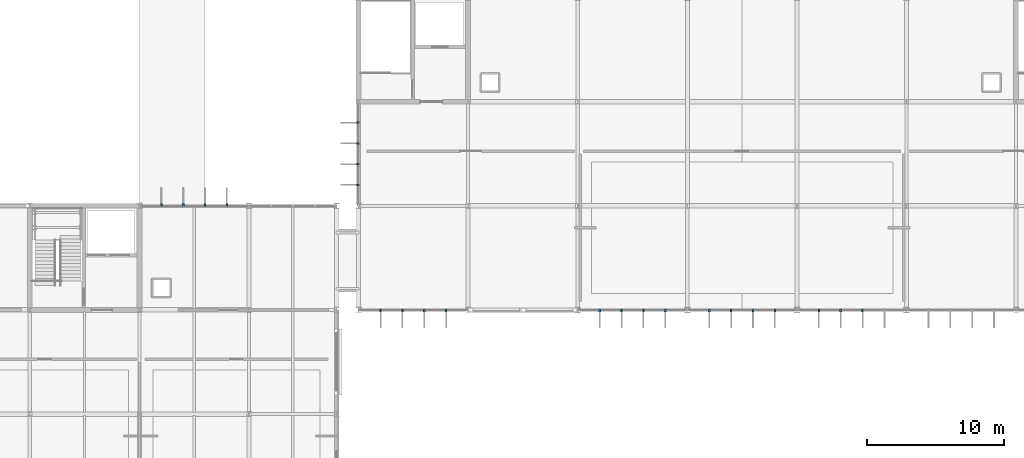
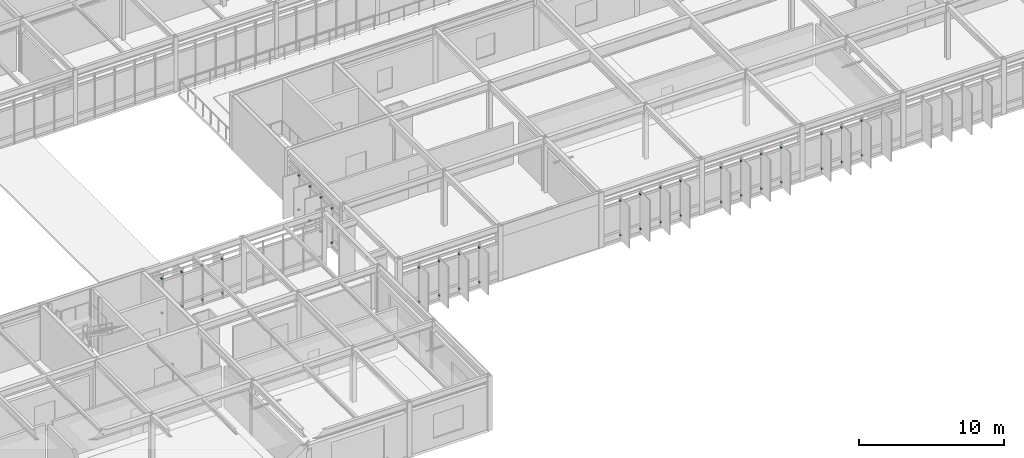
# One storey, part 92 of 100: 46 discrete accessories.
"""IFC4 building model written with IfcOpenShell, lengths in metres."""

from ifc_helpers import new_model, si_unit, direction, frame, origin, origin_2d, place, context, subcontext, project, spatial, rectangle, extrude, material, layer, layer_set, type_object, element, save


model = new_model("IFC4")

# Units and contexts
model_context = context("Model", 3, precision=1e-05, world=origin(), true_north=direction((0.0, 1.0)))
body_context = subcontext(model_context, "Body", "Model", "MODEL_VIEW")
ifc_project = project(units=[si_unit("LENGTHUNIT", "METRE"), si_unit("AREAUNIT", "SQUARE_METRE"), si_unit("VOLUMEUNIT", "CUBIC_METRE"), si_unit("PLANEANGLEUNIT", "RADIAN"), si_unit("MASSUNIT", "GRAM", prefix="KILO")], contexts=[model_context])

# Site, building, storey
site_placement = place(None, origin())
site = spatial("IfcSite", under=ifc_project, at=site_placement, CompositionType="ELEMENT")
building_placement = place(site_placement, origin())
building = spatial("IfcBuilding", under=site, at=building_placement, Name="Zulena Civic Courthouse", CompositionType="ELEMENT")
storey_placement = place(building_placement, frame((0.0, 0.0, 20.39990234375)))
storey = spatial("IfcBuildingStorey", under=building, at=storey_placement, Name="L04", CompositionType="ELEMENT", Elevation=20.39990234375)

# Discrete accessories
ifc_material = material(Name="Gold anodised architectural aluminium AA6063-T6", Category="aluminium")
ifc_layer = layer(ifc_material, 0.1201171875)
ifc_layer_set = layer_set([ifc_layer], Name="Gold anodised architectural aluminium AA6063-T6")
discrete_accessory_type = type_object("IfcDiscreteAccessoryType", Name="FinOutriggerBracket", PredefinedType="BRACKET", material=ifc_layer_set)
for number, where, z_axis, x_axis, name in (
    (1, (53.607177734375, 22.844970703125, 0.340087890625), (0.0, 0.0, 1.0), (0.0, 1.0, 0.0), "brk:V2:L04:1:6:1:20.80"),
    (2, (53.607177734375, 22.844970703125, 3.22998046875), (0.0, 0.0, 1.0), (0.0, 1.0, 0.0), "brk:V2:L04:1:6:1:23.69"),
    (3, (55.202392578125, 22.844970703125, 0.340087890625), (0.0, 0.0, 1.0), (0.0, 1.0, 0.0), "brk:V2:L04:1:6:2:20.80"),
    (4, (55.202392578125, 22.844970703125, 3.22998046875), (0.0, 0.0, 1.0), (0.0, 1.0, 0.0), "brk:V2:L04:1:6:2:23.69"),
    (5, (56.797607421875, 22.844970703125, 0.340087890625), (0.0, 0.0, 1.0), (0.0, 1.0, 0.0), "brk:V2:L04:1:6:3:20.80"),
    (6, (56.797607421875, 22.844970703125, 3.22998046875), (0.0, 0.0, 1.0), (0.0, 1.0, 0.0), "brk:V2:L04:1:6:3:23.69"),
    (7, (58.392822265625, 22.844970703125, 0.340087890625), (0.0, 0.0, 1.0), (0.0, 1.0, 0.0), "brk:V2:L04:1:6:4:20.80"),
    (8, (58.392822265625, 22.844970703125, 3.22998046875), (0.0, 0.0, 1.0), (0.0, 1.0, 0.0), "brk:V2:L04:1:6:4:23.69"),
    (9, (67.955078125, 24.3271484375, 0.340087890625), (0.0, 0.0, 1.0), (-1.0, 0.0, 0.0), "brk:V4:L04:0:1:1:20.80"),
    (10, (67.955078125, 24.3271484375, 3.22998046875), (0.0, 0.0, 1.0), (-1.0, 0.0, 0.0), "brk:V4:L04:0:1:1:23.69"),
    (11, (67.955078125, 25.84228515625, 0.340087890625), (0.0, 0.0, 1.0), (-1.0, 0.0, 0.0), "brk:V4:L04:0:1:2:20.80"),
    (12, (67.955078125, 25.84228515625, 3.22998046875), (0.0, 0.0, 1.0), (-1.0, 0.0, 0.0), "brk:V4:L04:0:1:2:23.69"),
    (13, (67.955078125, 27.357666015625, 0.340087890625), (0.0, 0.0, 1.0), (-1.0, 0.0, 0.0), "brk:V4:L04:0:1:3:20.80"),
    (14, (67.955078125, 27.357666015625, 3.22998046875), (0.0, 0.0, 1.0), (-1.0, 0.0, 0.0), "brk:V4:L04:0:1:3:23.69"),
    (15, (67.955078125, 28.872802734375, 0.340087890625), (0.0, 0.0, 1.0), (-1.0, 0.0, 0.0), "brk:V4:L04:0:1:4:20.80"),
    (16, (67.955078125, 28.872802734375, 3.22998046875), (0.0, 0.0, 1.0), (-1.0, 0.0, 0.0), "brk:V4:L04:0:1:4:23.69"),
    (17, (104.797607421875, 15.155029296875, 0.340087890625), (0.0, 0.0, 1.0), (0.0, -1.0, 0.0), "brk:V4:L04:3:2:2:20.80"),
    (18, (104.797607421875, 15.155029296875, 3.22998046875), (0.0, 0.0, 1.0), (0.0, -1.0, 0.0), "brk:V4:L04:3:2:2:23.69"),
    (19, (103.202392578125, 15.155029296875, 0.340087890625), (0.0, 0.0, 1.0), (0.0, -1.0, 0.0), "brk:V4:L04:3:2:3:20.80"),
    (20, (103.202392578125, 15.155029296875, 3.22998046875), (0.0, 0.0, 1.0), (0.0, -1.0, 0.0), "brk:V4:L04:3:2:3:23.69"),
    (21, (101.607177734375, 15.155029296875, 0.340087890625), (0.0, 0.0, 1.0), (0.0, -1.0, 0.0), "brk:V4:L04:3:2:4:20.80"),
    (22, (101.607177734375, 15.155029296875, 3.22998046875), (0.0, 0.0, 1.0), (0.0, -1.0, 0.0), "brk:V4:L04:3:2:4:23.69"),
    (23, (98.392822265625, 15.155029296875, 0.340087890625), (0.0, 0.0, 1.0), (0.0, -1.0, 0.0), "brk:V4:L04:3:3:1:20.80"),
    (24, (98.392822265625, 15.155029296875, 3.22998046875), (0.0, 0.0, 1.0), (0.0, -1.0, 0.0), "brk:V4:L04:3:3:1:23.69"),
    (25, (96.797607421875, 15.155029296875, 0.340087890625), (0.0, 0.0, 1.0), (0.0, -1.0, 0.0), "brk:V4:L04:3:3:2:20.80"),
    (26, (96.797607421875, 15.155029296875, 3.22998046875), (0.0, 0.0, 1.0), (0.0, -1.0, 0.0), "brk:V4:L04:3:3:2:23.69"),
    (27, (95.202392578125, 15.155029296875, 0.340087890625), (0.0, 0.0, 1.0), (0.0, -1.0, 0.0), "brk:V4:L04:3:3:3:20.80"),
    (28, (95.202392578125, 15.155029296875, 3.22998046875), (0.0, 0.0, 1.0), (0.0, -1.0, 0.0), "brk:V4:L04:3:3:3:23.69"),
    (29, (93.607177734375, 15.155029296875, 0.340087890625), (0.0, 0.0, 1.0), (0.0, -1.0, 0.0), "brk:V4:L04:3:3:4:20.80"),
    (30, (93.607177734375, 15.155029296875, 3.22998046875), (0.0, 0.0, 1.0), (0.0, -1.0, 0.0), "brk:V4:L04:3:3:4:23.69"),
    (31, (90.392822265625, 15.155029296875, 0.340087890625), (0.0, 0.0, 1.0), (0.0, -1.0, 0.0), "brk:V4:L04:3:4:1:20.80"),
    (32, (90.392822265625, 15.155029296875, 3.22998046875), (0.0, 0.0, 1.0), (0.0, -1.0, 0.0), "brk:V4:L04:3:4:1:23.69"),
    (33, (88.797607421875, 15.155029296875, 0.340087890625), (0.0, 0.0, 1.0), (0.0, -1.0, 0.0), "brk:V4:L04:3:4:2:20.80"),
    (34, (88.797607421875, 15.155029296875, 3.22998046875), (0.0, 0.0, 1.0), (0.0, -1.0, 0.0), "brk:V4:L04:3:4:2:23.69"),
    (35, (87.202392578125, 15.155029296875, 0.340087890625), (0.0, 0.0, 1.0), (0.0, -1.0, 0.0), "brk:V4:L04:3:4:3:20.80"),
    (36, (87.202392578125, 15.155029296875, 3.22998046875), (0.0, 0.0, 1.0), (0.0, -1.0, 0.0), "brk:V4:L04:3:4:3:23.69"),
    (37, (85.607177734375, 15.155029296875, 0.340087890625), (0.0, 0.0, 1.0), (0.0, -1.0, 0.0), "brk:V4:L04:3:4:4:20.80"),
    (38, (85.607177734375, 15.155029296875, 3.22998046875), (0.0, 0.0, 1.0), (0.0, -1.0, 0.0), "brk:V4:L04:3:4:4:23.69"),
    (39, (74.392822265625, 15.155029296875, 0.340087890625), (0.0, 0.0, 1.0), (0.0, -1.0, 0.0), "brk:V4:L04:3:6:1:20.80"),
    (40, (74.392822265625, 15.155029296875, 3.22998046875), (0.0, 0.0, 1.0), (0.0, -1.0, 0.0), "brk:V4:L04:3:6:1:23.69"),
    (41, (72.797607421875, 15.155029296875, 0.340087890625), (0.0, 0.0, 1.0), (0.0, -1.0, 0.0), "brk:V4:L04:3:6:2:20.80"),
    (42, (72.797607421875, 15.155029296875, 3.22998046875), (0.0, 0.0, 1.0), (0.0, -1.0, 0.0), "brk:V4:L04:3:6:2:23.69"),
    (43, (71.202392578125, 15.155029296875, 0.340087890625), (0.0, 0.0, 1.0), (0.0, -1.0, 0.0), "brk:V4:L04:3:6:3:20.80"),
    (44, (71.202392578125, 15.155029296875, 3.22998046875), (0.0, 0.0, 1.0), (0.0, -1.0, 0.0), "brk:V4:L04:3:6:3:23.69"),
    (45, (69.607177734375, 15.155029296875, 0.340087890625), (0.0, 0.0, 1.0), (0.0, -1.0, 0.0), "brk:V4:L04:3:6:4:20.80"),
    (46, (69.607177734375, 15.155029296875, 3.22998046875), (0.0, 0.0, 1.0), (0.0, -1.0, 0.0), "brk:V4:L04:3:6:4:23.69"),
):
    element("IfcDiscreteAccessory", number, at=place(storey_placement, frame(where, z_axis=z_axis, x_axis=x_axis)), inside=storey, type_object=discrete_accessory_type, Name=name, PredefinedType="BRACKET", context=body_context, shape_type="SweptSolid", body=[
        extrude(rectangle(XDim=0.179931640625, YDim=0.1201171875, at=origin_2d()), origin(), (0.0, 0.0, 1.0), 0.1201171875),
    ])

save(model, "model.ifc")
